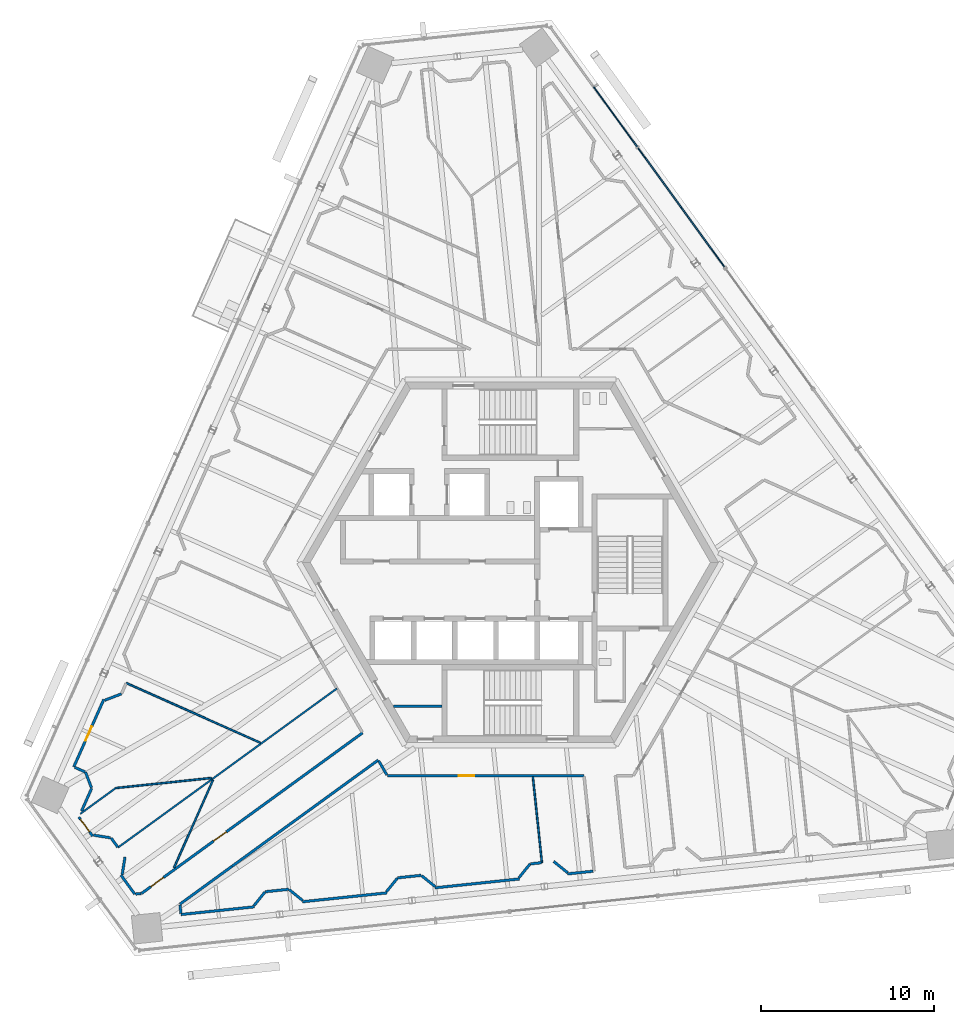
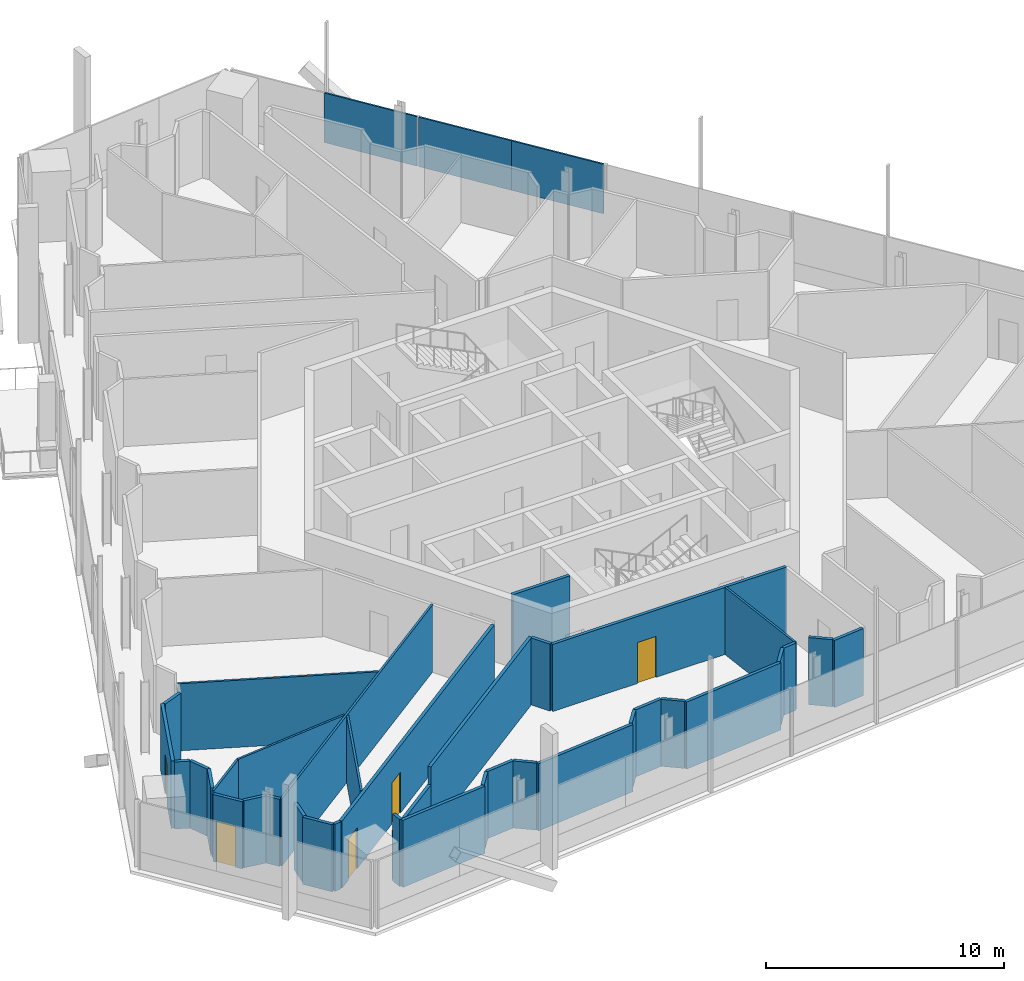
# One storey, part 10 of 21: 37 walls, 5 doors, 3 plates, 5 openings, 1 element without a shape of its own.
"""IFC4 building model written with IfcOpenShell, lengths in metres."""

from ifc_helpers import new_model, si_unit, direction, frame, frame_2d, origin, origin_2d, place, context, subcontext, project, spatial, rectangle, extrude, source, transform, mapped, material, layer, layer_set, type_object, element, fill, aggregate, save


model = new_model("IFC4")

# Units and contexts
model_context = context("Model", 3, precision=1e-05, world=origin(), true_north=direction((0.0, 1.0)))
body_context = subcontext(model_context, "Body", "Model", "MODEL_VIEW")
ifc_project = project(units=[si_unit("LENGTHUNIT", "METRE"), si_unit("AREAUNIT", "SQUARE_METRE"), si_unit("VOLUMEUNIT", "CUBIC_METRE"), si_unit("PLANEANGLEUNIT", "RADIAN"), si_unit("MASSUNIT", "GRAM", prefix="KILO")], contexts=[model_context])

# Site, building, storey
site_placement = place(None, origin())
site = spatial("IfcSite", under=ifc_project, at=site_placement, CompositionType="ELEMENT")
building_placement = place(site_placement, origin())
building = spatial("IfcBuilding", under=site, at=building_placement, Name="Triune Harvest Tower", CompositionType="ELEMENT")
storey_placement = place(building_placement, frame((0.0, 0.0, 248.5)))
storey = spatial("IfcBuildingStorey", under=building, at=storey_placement, Name="L65", CompositionType="ELEMENT", Elevation=248.5)

# Curtain wall, plates
ifc_material_1 = material(Name="Aluminium bronze anodised", Category="aluminium")
curtain_wall_type = type_object("IfcCurtainWallType", Name="CW-7 Tower stick curtain wall with insulated spandrel infill", PredefinedType="NOTDEFINED", material=ifc_material_1)
curtain_wall_placement = place(storey_placement, origin())
curtain_wall = element("IfcCurtainWall", 1, at=curtain_wall_placement, inside=storey, type_object=curtain_wall_type, Name="CW-7 B6-F1 L65 run 2001")
ifc_material_2 = material(Name="Insulated spandrel panel, bronze aluminium pan", Category="aluminium")
ifc_layer_1 = layer(ifc_material_2, 0.080078125)
ifc_layer_set_1 = layer_set([ifc_layer_1], Name="Insulated spandrel panel, bronze aluminium pan")
plate_type = type_object("IfcPlateType", Name="SP-1 insulated spandrel panel 80", PredefinedType="CURTAIN_PANEL", material=ifc_layer_set_1)
shared_shape_1 = source(origin(), body_context, "Body", "SweptSolid", [
    extrude(rectangle(XDim=4.22509765625, YDim=0.080078125, at=origin_2d()), origin(), (0.0, 0.0, 1.0), 2.5400390625),
])
plate_1_placement = place(storey_placement, frame((11.106201171875, 18.74560546875, 0.89990234375), z_axis=(0.0, 0.0, 1.0), x_axis=(-0.587786129808, 0.809016356822, 0.0)))
plate_1 = element("IfcPlate", 2, at=plate_1_placement, type_object=plate_type, Name="CW-7 panel B6-F1 2001.1", PredefinedType="CURTAIN_PANEL", context=body_context, shape_type="MappedRepresentation", body=[
    mapped(shared_shape_1, transform((0.0, 0.0, 0.0), scale=1.0)),
])
shared_shape_2 = source(origin(), body_context, "Body", "SweptSolid", [
    extrude(rectangle(XDim=4.262451171875, YDim=0.080078125, at=origin_2d()), origin(), (0.0, 0.0, 1.0), 2.5400390625),
])
plate_2_placement = place(storey_placement, frame((8.61181640625, 22.178955078125, 0.89990234375), z_axis=(0.0, 0.0, 1.0), x_axis=(-0.587786129808, 0.809016356822, 0.0)))
plate_2 = element("IfcPlate", 3, at=plate_2_placement, type_object=plate_type, Name="CW-7 panel B6-F1 2001.2", PredefinedType="CURTAIN_PANEL", context=body_context, shape_type="MappedRepresentation", body=[
    mapped(shared_shape_2, transform((0.0, 0.0, 0.0), scale=1.0)),
])
plate_3_placement = place(storey_placement, frame((6.062255859375, 25.68798828125, 0.89990234375), z_axis=(0.0, 0.0, 1.0), x_axis=(-0.587786129808, 0.809016356822, 0.0)))
plate_3 = element("IfcPlate", 4, at=plate_3_placement, type_object=plate_type, Name="CW-7 panel B6-F1 2001.3", PredefinedType="CURTAIN_PANEL", context=body_context, shape_type="MappedRepresentation", body=[
    mapped(shared_shape_2, transform((0.0, 0.0, 0.0), scale=1.0)),
])
aggregate(curtain_wall, [plate_1, plate_2, plate_3])

# Walls
ifc_material_3 = material(Name="Gypsum board on steel studs", Category="steel")
ifc_layer_2 = layer(ifc_material_3, 0.14990234375)
ifc_layer_set_2 = layer_set([ifc_layer_2], Name="Gypsum board on steel studs")
wall_type_1 = type_object("IfcWallType", Name="Fire Partition 150 mm", PredefinedType="PARTITIONING", material=ifc_layer_set_2)
wall_1_placement = place(storey_placement, frame((-22.451904296875, -18.029296875, 0.0), z_axis=(0.0, 0.0, 1.0), x_axis=(0.587861190829, -0.808961816353, 0.0)))
element("IfcWall", 5, at=wall_1_placement, inside=storey, type_object=wall_type_1, Name="Partition L65 026", PredefinedType="PARTITIONING", context=body_context, shape_type="SweptSolid", body=[
    extrude(rectangle(XDim=1.35595703125, YDim=0.14990234375, at=frame_2d((0.677978515625, 0.0))), origin(), (0.0, 0.0, 1.0), 3.43994140625),
])
wall_2_placement = place(storey_placement, frame((-23.024169921875, -15.88330078125, 0.0), z_axis=(0.0, 0.0, 1.0), x_axis=(0.587795827483, -0.809009310944, 0.0)))
element("IfcWall", 6, at=wall_2_placement, inside=storey, type_object=wall_type_1, Name="Partition L65 027", PredefinedType="PARTITIONING", context=body_context, shape_type="SweptSolid", body=[
    extrude(rectangle(XDim=0.65673828125, YDim=0.14990234375, at=frame_2d((0.328369140625, 0.0))), origin(), (0.0, 0.0, 1.0), 3.43994140625),
])
wall_3_placement = place(storey_placement, frame((-25.119873046875, -11.8125, 0.0), z_axis=(0.0, 0.0, 1.0), x_axis=(0.913594455673, -0.406626573854, 0.0)))
element("IfcWall", 7, at=wall_3_placement, inside=storey, type_object=wall_type_1, Name="Partition L65 048", PredefinedType="PARTITIONING", context=body_context, shape_type="SweptSolid", body=[
    extrude(rectangle(XDim=0.649658203125, YDim=0.14990234375, at=frame_2d((0.32470703125, 0.0))), origin(), (0.0, 0.0, 1.0), 3.43994140625),
])

# Wall, opening, door
wall_4_placement = place(storey_placement, frame((-7.096923828125, -12.292236328125, 0.0), z_axis=(0.0, 0.0, 1.0), x_axis=(1.0, 0.0, 0.0)))
wall_4 = element("IfcWall", 8, at=wall_4_placement, inside=storey, type_object=wall_type_1, Name="Partition L65 067", PredefinedType="PARTITIONING", context=body_context, shape_type="SweptSolid", body=[
    extrude(rectangle(XDim=11.3447265625, YDim=0.14990234375, at=frame_2d((5.67236328125, 0.0))), origin(), (0.0, 0.0, 1.0), 3.43994140625),
])
opening_1_placement = place(wall_4_placement, frame((4.1171875, 0.0, 0.0)))
opening_1 = element("IfcOpeningElement", 9, at=opening_1_placement, cuts=wall_4, Name="Opening L65-020", PredefinedType="OPENING", context=body_context, shape_type="SweptSolid", body=[
    extrude(rectangle(XDim=0.89990234375, YDim=2.10009765625, at=frame_2d((0.449951171875, 1.050048828125))), frame((0.0, 0.0849609375, 0.0), z_axis=(0.0, -1.0, 0.0), x_axis=(1.0, 0.0, 0.0)), (0.0, 0.0, 1.0), 0.169921875),
])
ifc_material_4 = material(Name="Timber and steel door set", Category="steel")
door_type_1 = type_object("IfcDoorType", Name="Single leaf door FD30 right hand 900 x 2100", OperationType="SINGLE_SWING_RIGHT", PredefinedType="DOOR", material=ifc_material_4)
door_1_placement = place(opening_1_placement, origin())
door_1 = element("IfcDoor", 10, at=door_1_placement, inside=storey, type_object=door_type_1, Name="Door L65-020 Open Office 65.20", OperationType="SINGLE_SWING_RIGHT", OverallHeight=2.10009765625, OverallWidth=0.89990234375, PredefinedType="DOOR", context=body_context, shape_type="SweptSolid", body=[
    extrude(rectangle(XDim=0.89990234375, YDim=2.10009765625, at=frame_2d((0.449951171875, 1.050048828125))), frame((0.0, 0.02490234375, 0.0), z_axis=(0.0, -1.0, 0.0), x_axis=(1.0, 0.0, 0.0)), (0.0, 0.0, 1.0), 0.050048828125),
])
fill(opening_1, door_1)

# Walls
wall_5_placement = place(storey_placement, frame((-18.990234375, -20.2998046875, 0.0), z_axis=(0.0, 0.0, 1.0), x_axis=(0.994522395776, 0.104523702097, 0.0)))
element("IfcWall", 11, at=wall_5_placement, inside=storey, type_object=wall_type_1, Name="Partition L65 071", PredefinedType="PARTITIONING", context=body_context, shape_type="SweptSolid", body=[
    extrude(rectangle(XDim=4.260498046875, YDim=0.14990234375, at=frame_2d((2.13037109375, 0.0))), origin(), (0.0, 0.0, 1.0), 3.43994140625),
])
wall_6_placement = place(storey_placement, frame((3.2841796875, -17.95849609375, 0.0), z_axis=(0.0, 0.0, 1.0), x_axis=(0.994528610192, 0.104464556241, 0.0)))
element("IfcWall", 12, at=wall_6_placement, inside=storey, type_object=wall_type_1, Name="Partition L65 074", PredefinedType="PARTITIONING", context=body_context, shape_type="SweptSolid", body=[
    extrude(rectangle(XDim=1.50048828125, YDim=0.14990234375, at=frame_2d((0.750244140625, 0.0))), origin(), (0.0, 0.0, 1.0), 3.43994140625),
])
wall_7_placement = place(storey_placement, frame((1.16943359375, -17.3779296875, 0.0), z_axis=(0.0, 0.0, 1.0), x_axis=(0.994539539625, 0.104360452866, 0.0)))
element("IfcWall", 13, at=wall_7_placement, inside=storey, type_object=wall_type_1, Name="Partition L65 080", PredefinedType="PARTITIONING", context=body_context, shape_type="SweptSolid", body=[
    extrude(rectangle(XDim=0.626953125, YDim=0.14990234375, at=frame_2d((0.3134765625, 0.0))), origin(), (0.0, 0.0, 1.0), 3.43994140625),
])
wall_8_placement = place(storey_placement, frame((-19.05322265625, -19.70166015625, 0.0), z_axis=(0.0, 0.0, 1.0), x_axis=(0.809028852889, 0.587768930102, 0.0)))
element("IfcWall", 14, at=wall_8_placement, inside=storey, type_object=wall_type_1, Name="Partition L65 100", PredefinedType="PARTITIONING", context=body_context, shape_type="SweptSolid", body=[
    extrude(rectangle(XDim=3.712890625, YDim=0.14990234375, at=frame_2d((1.8564453125, 0.0))), origin(), (0.0, 0.0, 1.0), 2.525634765625),
])
wall_9_placement = place(storey_placement, frame((-16.04931640625, -17.519287109375, 0.0), z_axis=(0.0, 0.0, 1.0), x_axis=(0.809011486292, 0.587792833444, 0.0)))
element("IfcWall", 15, at=wall_9_placement, inside=storey, type_object=wall_type_1, Name="Partition L65 100a", PredefinedType="PARTITIONING", context=body_context, shape_type="SweptSolid", body=[
    extrude(rectangle(XDim=10.423583984375, YDim=0.14990234375, at=frame_2d((5.2119140625, 0.0))), origin(), (0.0, 0.0, 1.0), 3.43994140625),
])

# Wall, openings, doors
wall_10_placement = place(storey_placement, frame((-21.267822265625, -19.08544921875, 0.0), z_axis=(0.0, 0.0, 1.0), x_axis=(0.809017427981, 0.587784655484, 0.0)))
wall_10 = element("IfcWall", 16, at=wall_10_placement, inside=storey, type_object=wall_type_1, Name="Partition L65 102", PredefinedType="PARTITIONING", context=body_context, shape_type="SweptSolid", body=[
    extrude(rectangle(XDim=15.75537109375, YDim=0.14990234375, at=frame_2d((7.877685546875, 0.0))), origin(), (0.0, 0.0, 1.0), 3.43994140625),
])
opening_2_placement = place(wall_10_placement, frame((0.6669921875, 0.0, 0.0)))
opening_2 = element("IfcOpeningElement", 17, at=opening_2_placement, cuts=wall_10, Name="Opening L65-018", PredefinedType="OPENING", context=body_context, shape_type="SweptSolid", body=[
    extrude(rectangle(XDim=0.89990234375, YDim=2.10009765625, at=frame_2d((0.449951171875, 1.050048828125))), frame((0.0, 0.0849609375, 0.0), z_axis=(0.0, -1.0, 0.0), x_axis=(1.0, 0.0, 0.0)), (0.0, 0.0, 1.0), 0.169921875),
])
opening_3_placement = place(wall_10_placement, frame((5.14208984375, 0.0, 0.0)))
opening_3 = element("IfcOpeningElement", 18, at=opening_3_placement, cuts=wall_10, Name="Opening L65-019", PredefinedType="OPENING", context=body_context, shape_type="SweptSolid", body=[
    extrude(rectangle(XDim=0.89990234375, YDim=2.10009765625, at=frame_2d((0.449951171875, 1.050048828125))), frame((0.0, 0.0849609375, 0.0), z_axis=(0.0, -1.0, 0.0), x_axis=(1.0, 0.0, 0.0)), (0.0, 0.0, 1.0), 0.169921875),
])
ifc_material_5 = material(Name="Timber and steel door set", Category="steel")
door_type_2 = type_object("IfcDoorType", Name="Single leaf door FD30 left hand 900 x 2100", OperationType="SINGLE_SWING_LEFT", PredefinedType="DOOR", material=ifc_material_5)
door_2_placement = place(opening_2_placement, origin())
door_2 = element("IfcDoor", 19, at=door_2_placement, inside=storey, type_object=door_type_2, Name="Door L65-018 Reception 65.18", OperationType="SINGLE_SWING_LEFT", OverallHeight=2.10009765625, OverallWidth=0.89990234375, PredefinedType="DOOR", context=body_context, shape_type="SweptSolid", body=[
    extrude(rectangle(XDim=0.89990234375, YDim=2.10009765625, at=frame_2d((0.449951171875, 1.050048828125))), frame((0.0, 0.02490234375, 0.0), z_axis=(0.0, -1.0, 0.0), x_axis=(1.0, 0.0, 0.0)), (0.0, 0.0, 1.0), 0.050048828125),
])
fill(opening_2, door_2)
door_3_placement = place(opening_3_placement, origin())
door_3 = element("IfcDoor", 20, at=door_3_placement, inside=storey, type_object=door_type_2, Name="Door L65-019 Dry Store Room 65.19", OperationType="SINGLE_SWING_LEFT", OverallHeight=2.10009765625, OverallWidth=0.89990234375, PredefinedType="DOOR", context=body_context, shape_type="SweptSolid", body=[
    extrude(rectangle(XDim=0.89990234375, YDim=2.10009765625, at=frame_2d((0.449951171875, 1.050048828125))), frame((0.0, 0.02490234375, 0.0), z_axis=(0.0, -1.0, 0.0), x_axis=(1.0, 0.0, 0.0)), (0.0, 0.0, 1.0), 0.050048828125),
])
fill(opening_3, door_3)

# Walls
wall_11_placement = place(storey_placement, frame((-24.722900390625, -14.326416015625, 0.0), z_axis=(0.0, 0.0, 1.0), x_axis=(0.406867357237, 0.913487248742, 0.0)))
element("IfcWall", 21, at=wall_11_placement, inside=storey, type_object=wall_type_1, Name="Partition L65 124", PredefinedType="PARTITIONING", context=body_context, shape_type="SweptSolid", body=[
    extrude(rectangle(XDim=1.42919921875, YDim=0.14990234375, at=frame_2d((0.714599609375, 0.0))), origin(), (0.0, 0.0, 1.0), 3.43994140625),
])
ifc_material_6 = material(Name="Gypsum board on steel studs", Category="steel")
ifc_layer_3 = layer(ifc_material_6, 0.10009765625)
ifc_layer_set_3 = layer_set([ifc_layer_3], Name="Gypsum board on steel studs")
wall_type_2 = type_object("IfcWallType", Name="Partition 100 mm", PredefinedType="PARTITIONING", material=ifc_layer_set_3)
wall_12_placement = place(storey_placement, frame((-22.1474609375, -6.95166015625, 0.0), z_axis=(0.0, 0.0, 1.0), x_axis=(0.913545346188, -0.406736893407, 0.0)))
element("IfcWall", 22, at=wall_12_placement, inside=storey, type_object=wall_type_2, Name="Partition L65 049", PredefinedType="PARTITIONING", context=body_context, shape_type="SweptSolid", body=[
    extrude(rectangle(XDim=8.477783203125, YDim=0.10009765625, at=frame_2d((4.23876953125, 0.0))), origin(), (0.0, 0.0, 1.0), 3.43994140625),
])
wall_13_placement = place(storey_placement, frame((-22.753662109375, -13.00732421875, 0.0), z_axis=(0.0, 0.0, 1.0), x_axis=(0.994522546692, 0.104522266149, 0.0)))
element("IfcWall", 23, at=wall_13_placement, inside=storey, type_object=wall_type_2, Name="Partition L65 085", PredefinedType="PARTITIONING", context=body_context, shape_type="SweptSolid", body=[
    extrude(rectangle(XDim=5.55224609375, YDim=0.10009765625, at=frame_2d((2.776123046875, 0.0))), origin(), (0.0, 0.0, 1.0), 3.43994140625),
])
wall_14_placement = place(storey_placement, frame((-22.622314453125, -16.436279296875, 0.0), z_axis=(0.0, 0.0, 1.0), x_axis=(0.809005299906, 0.587801348012, 0.0)))
element("IfcWall", 24, at=wall_14_placement, inside=storey, type_object=wall_type_2, Name="Partition L65 104", PredefinedType="PARTITIONING", context=body_context, shape_type="SweptSolid", body=[
    extrude(rectangle(XDim=15.602783203125, YDim=0.10009765625, at=frame_2d((7.80126953125, 0.0))), origin(), (0.0, 0.0, 1.0), 3.43994140625),
])
wall_15_placement = place(storey_placement, frame((-19.392822265625, -17.599853515625, 0.0), z_axis=(0.0, 0.0, 1.0), x_axis=(0.406728288656, 0.913549177224, 0.0)))
element("IfcWall", 25, at=wall_15_placement, inside=storey, type_object=wall_type_2, Name="Partition L65 123", PredefinedType="PARTITIONING", context=body_context, shape_type="SweptSolid", body=[
    extrude(rectangle(XDim=5.529541015625, YDim=0.10009765625, at=frame_2d((2.7646484375, 0.0))), origin(), (0.0, 0.0, 1.0), 3.43994140625),
])
ifc_material_7 = material(Name="Concrete masonry unit", Category="masonry")
ifc_layer_4 = layer(ifc_material_7, 0.14990234375)
ifc_layer_set_4 = layer_set([ifc_layer_4], Name="Concrete masonry unit")
wall_type_3 = type_object("IfcWallType", Name="Block partition 150", PredefinedType="PARTITIONING", material=ifc_layer_set_4)
shared_shape_3 = source(origin(), body_context, "Body", "SweptSolid", [
    extrude(rectangle(XDim=2.777099609375, YDim=0.14990234375, at=frame_2d((1.388671875, 0.0))), origin(), (0.0, 0.0, 1.0), 3.43994140625),
])
wall_16_placement = place(storey_placement, frame((-6.72705078125, -8.300048828125, 0.0), z_axis=(0.0, 0.0, 1.0), x_axis=(1.0, 0.0, 0.0)))
element("IfcWall", 26, at=wall_16_placement, inside=storey, type_object=wall_type_3, Name="Sw part wall", PredefinedType="PARTITIONING", context=body_context, shape_type="MappedRepresentation", body=[
    mapped(shared_shape_3, transform((0.0, 0.0, 0.0), scale=1.0)),
])
shared_shape_4 = source(origin(), body_context, "Body", "SweptSolid", [
    extrude(rectangle(XDim=0.96826171875, YDim=0.14990234375, at=frame_2d((0.484130859375, 0.0))), origin(), (0.0, 0.0, 1.0), 3.43994140625),
])
wall_17_placement = place(storey_placement, frame((-24.498779296875, -12.0888671875, 0.0), z_axis=(0.0, 0.0, 1.0), x_axis=(0.358269387117, -0.933618255099, 0.0)))
element("IfcWall", 27, at=wall_17_placement, inside=storey, type_object=wall_type_1, Name="Partition L65 014", PredefinedType="PARTITIONING", context=body_context, shape_type="MappedRepresentation", body=[
    mapped(shared_shape_4, transform((0.0, 0.0, 0.0), scale=1.0)),
])
shared_shape_5 = source(origin(), body_context, "Body", "SweptSolid", [
    extrude(rectangle(XDim=0.92919921875, YDim=0.14990234375, at=frame_2d((0.464599609375, 0.0))), origin(), (0.0, 0.0, 1.0), 3.43994140625),
])
wall_18_placement = place(storey_placement, frame((-7.586181640625, -11.444580078125, 0.0), z_axis=(0.0, 0.0, 1.0), x_axis=(0.500010545262, -0.866019315389, 0.0)))
element("IfcWall", 28, at=wall_18_placement, inside=storey, type_object=wall_type_1, Name="Partition L65 022", PredefinedType="PARTITIONING", context=body_context, shape_type="MappedRepresentation", body=[
    mapped(shared_shape_5, transform((0.0, 0.0, 0.0), scale=1.0)),
])
shared_shape_6 = source(origin(), body_context, "Body", "SweptSolid", [
    extrude(rectangle(XDim=1.36669921875, YDim=0.14990234375, at=frame_2d((0.683349609375, 0.0))), origin(), (0.0, 0.0, 1.0), 3.43994140625),
])
wall_19_placement = place(storey_placement, frame((-14.135009765625, -18.986083984375, 0.0), z_axis=(0.0, 0.0, 1.0), x_axis=(0.99452403602, 0.104508094319, 0.0)))
element("IfcWall", 29, at=wall_19_placement, inside=storey, type_object=wall_type_1, Name="Partition L65 078", PredefinedType="PARTITIONING", context=body_context, shape_type="MappedRepresentation", body=[
    mapped(shared_shape_6, transform((0.0, 0.0, 0.0), scale=1.0)),
])
shared_shape_7 = source(origin(), body_context, "Body", "SweptSolid", [
    extrude(rectangle(XDim=0.50146484375, YDim=0.14990234375, at=frame_2d((0.250732421875, 0.0))), origin(), (0.0, 0.0, 1.0), 3.43994140625),
])
wall_20_placement = place(storey_placement, frame((-19.048095703125, -19.751220703125, 0.0), z_axis=(0.0, 0.0, 1.0), x_axis=(0.104659444829, -0.994508119931, 0.0)))
element("IfcWall", 30, at=wall_20_placement, inside=storey, type_object=wall_type_1, Name="Partition L65 001", PredefinedType="PARTITIONING", context=body_context, shape_type="MappedRepresentation", body=[
    mapped(shared_shape_7, transform((0.0, 0.0, 0.0), scale=1.0)),
])
shared_shape_8 = source(origin(), body_context, "Body", "SweptSolid", [
    extrude(rectangle(XDim=4.985107421875, YDim=0.10009765625, at=frame_2d((2.49267578125, 0.0))), origin(), (0.0, 0.0, 1.0), 3.43994140625),
])
wall_21_placement = place(storey_placement, frame((1.298583984375, -12.35205078125, 0.0), z_axis=(0.0, 0.0, 1.0), x_axis=(0.104511426874, -0.994523685818, 0.0)))
element("IfcWall", 31, at=wall_21_placement, inside=storey, type_object=wall_type_2, Name="Partition L65 004", PredefinedType="PARTITIONING", context=body_context, shape_type="MappedRepresentation", body=[
    mapped(shared_shape_8, transform((0.0, 0.0, 0.0), scale=1.0)),
])
shared_shape_9 = source(origin(), body_context, "Body", "SweptSolid", [
    extrude(rectangle(XDim=0.998779296875, YDim=0.14990234375, at=frame_2d((0.49951171875, 0.0))), origin(), (0.0, 0.0, 1.0), 3.43994140625),
])
wall_22_placement = place(storey_placement, frame((-24.040283203125, -15.722412109375, 0.0), z_axis=(0.0, 0.0, 1.0), x_axis=(0.987689531031, -0.15642694874, 0.0)))
element("IfcWall", 32, at=wall_22_placement, inside=storey, type_object=wall_type_1, Name="Partition L65 062", PredefinedType="PARTITIONING", context=body_context, shape_type="MappedRepresentation", body=[
    mapped(shared_shape_9, transform((0.0, 0.0, 0.0), scale=1.0)),
])
shared_shape_10 = source(origin(), body_context, "Body", "SweptSolid", [
    extrude(rectangle(XDim=0.9990234375, YDim=0.14990234375, at=frame_2d((0.49951171875, 0.0))), origin(), (0.0, 0.0, 1.0), 3.43994140625),
])
for number, where, z_axis, x_axis, name in (
    (33, (-12.75244140625, -18.86279296875, 0.0), (0.0, 0.0, 1.0), (0.777159494521, -0.62930367874, 0.0), "Partition L65 042"),
    (34, (-7.145263671875, -18.983642578125, 0.0), (0.0, 0.0, 1.0), (0.62930367874, 0.777159494521, 0.0), "Partition L65 115"),
):
    element("IfcWall", number, at=place(storey_placement, frame(where, z_axis=z_axis, x_axis=x_axis)), inside=storey, type_object=wall_type_1, Name=name, PredefinedType="PARTITIONING", context=body_context, shape_type="MappedRepresentation", body=[
        mapped(shared_shape_10, transform((0.0, 0.0, 0.0), scale=1.0)),
    ])

# Wall, opening, door
shared_shape_11 = source(origin(), body_context, "Body", "SweptSolid", [
    extrude(rectangle(XDim=1.355712890625, YDim=0.14990234375, at=frame_2d((0.677734375, 0.0))), origin(), (0.0, 0.0, 1.0), 3.43994140625),
])
wall_23_placement = place(storey_placement, frame((-24.8818359375, -14.6845703125, 0.0), z_axis=(0.0, 0.0, 1.0), x_axis=(0.587743344352, -0.809047440617, 0.0)))
wall_23 = element("IfcWall", 35, at=wall_23_placement, inside=storey, type_object=wall_type_1, Name="Partition L65 025", PredefinedType="PARTITIONING", context=body_context, shape_type="MappedRepresentation", body=[
    mapped(shared_shape_11, transform((0.0, 0.0, 0.0), scale=1.0)),
])
opening_4_placement = place(wall_23_placement, frame((0.156005859375, 0.0, 0.0)))
opening_4 = element("IfcOpeningElement", 36, at=opening_4_placement, cuts=wall_23, Name="Opening L65-017", PredefinedType="OPENING", context=body_context, shape_type="SweptSolid", body=[
    extrude(rectangle(XDim=0.89990234375, YDim=2.10009765625, at=frame_2d((0.449951171875, 1.050048828125))), frame((0.0, 0.0849609375, 0.0), z_axis=(0.0, -1.0, 0.0), x_axis=(1.0, 0.0, 0.0)), (0.0, 0.0, 1.0), 0.169921875),
])
door_4_placement = place(opening_4_placement, origin())
door_4 = element("IfcDoor", 37, at=door_4_placement, inside=storey, type_object=door_type_2, Name="Door L65-017 Office 65.17", OperationType="SINGLE_SWING_LEFT", OverallHeight=2.10009765625, OverallWidth=0.89990234375, PredefinedType="DOOR", context=body_context, shape_type="SweptSolid", body=[
    extrude(rectangle(XDim=0.89990234375, YDim=2.10009765625, at=frame_2d((0.449951171875, 1.050048828125))), frame((0.0, 0.02490234375, 0.0), z_axis=(0.0, -1.0, 0.0), x_axis=(1.0, 0.0, 0.0)), (0.0, 0.0, 1.0), 0.050048828125),
])
fill(opening_4, door_4)

# Walls
shared_shape_12 = source(origin(), body_context, "Body", "SweptSolid", [
    extrude(rectangle(XDim=0.319091796875, YDim=0.14990234375, at=frame_2d((0.15966796875, 0.0))), origin(), (0.0, 0.0, 1.0), 3.43994140625),
])
wall_24_placement = place(storey_placement, frame((-21.60546875, -19.120849609375, 0.0), z_axis=(0.0, 0.0, 1.0), x_axis=(0.994492870494, 0.10480424866, 0.0)))
element("IfcWall", 38, at=wall_24_placement, inside=storey, type_object=wall_type_1, Name="Partition L65 083", PredefinedType="PARTITIONING", context=body_context, shape_type="MappedRepresentation", body=[
    mapped(shared_shape_12, transform((0.0, 0.0, 0.0), scale=1.0)),
])
shared_shape_13 = source(origin(), body_context, "Body", "SweptSolid", [
    extrude(rectangle(XDim=1.366455078125, YDim=0.14990234375, at=frame_2d((0.68310546875, 0.0))), origin(), (0.0, 0.0, 1.0), 3.43994140625),
])
wall_25_placement = place(storey_placement, frame((-6.49755859375, -18.18359375, 0.0), z_axis=(0.0, 0.0, 1.0), x_axis=(0.994522084335, 0.10452666535, 0.0)))
element("IfcWall", 39, at=wall_25_placement, inside=storey, type_object=wall_type_1, Name="Partition L65 079", PredefinedType="PARTITIONING", context=body_context, shape_type="MappedRepresentation", body=[
    mapped(shared_shape_13, transform((0.0, 0.0, 0.0), scale=1.0)),
])

# Wall, opening, door
shared_shape_14 = source(origin(), body_context, "Body", "SweptSolid", [
    extrude(rectangle(XDim=4.26025390625, YDim=0.14990234375, at=frame_2d((2.130126953125, 0.0))), origin(), (0.0, 0.0, 1.0), 3.43994140625),
])
wall_26_placement = place(storey_placement, frame((-25.174560546875, -11.7880859375, 0.0), z_axis=(0.0, 0.0, 1.0), x_axis=(0.406765794446, 0.913532478059, 0.0)))
wall_26 = element("IfcWall", 40, at=wall_26_placement, inside=storey, type_object=wall_type_1, Name="Partition L65 131", PredefinedType="PARTITIONING", context=body_context, shape_type="MappedRepresentation", body=[
    mapped(shared_shape_14, transform((0.0, 0.0, 0.0), scale=1.0)),
])
opening_5_placement = place(wall_26_placement, frame((1.650146484375, 0.0, 0.0)))
opening_5 = element("IfcOpeningElement", 41, at=opening_5_placement, cuts=wall_26, Name="Opening L65-016", PredefinedType="OPENING", context=body_context, shape_type="SweptSolid", body=[
    extrude(rectangle(XDim=0.89990234375, YDim=2.10009765625, at=frame_2d((0.449951171875, 1.050048828125))), frame((0.0, 0.0849609375, 0.0), z_axis=(0.0, -1.0, 0.0), x_axis=(1.0, 0.0, 0.0)), (0.0, 0.0, 1.0), 0.169921875),
])
door_5_placement = place(opening_5_placement, origin())
door_5 = element("IfcDoor", 42, at=door_5_placement, inside=storey, type_object=door_type_1, Name="Door L65-016 Open Office 65.16", OperationType="SINGLE_SWING_RIGHT", OverallHeight=2.10009765625, OverallWidth=0.89990234375, PredefinedType="DOOR", context=body_context, shape_type="SweptSolid", body=[
    extrude(rectangle(XDim=0.89990234375, YDim=2.10009765625, at=frame_2d((0.449951171875, 1.050048828125))), frame((0.0, 0.02490234375, 0.0), z_axis=(0.0, -1.0, 0.0), x_axis=(1.0, 0.0, 0.0)), (0.0, 0.0, 1.0), 0.050048828125),
])
fill(opening_5, door_5)

# Walls
shared_shape_15 = source(origin(), body_context, "Body", "SweptSolid", [
    extrude(rectangle(XDim=4.901123046875, YDim=0.14990234375, at=frame_2d((2.45068359375, 0.0))), origin(), (0.0, 0.0, 1.0), 3.43994140625),
])
for number, where, z_axis, x_axis, name in (
    (43, (-11.990234375, -19.564208984375, 0.0), (0.0, 0.0, 1.0), (0.994518819285, 0.104557726105, 0.0), "Partition L65 072"),
    (44, (-4.352783203125, -18.76123046875, 0.0), (0.0, 0.0, 1.0), (0.99452399789, 0.104508457179, 0.0), "Partition L65 073"),
):
    element("IfcWall", number, at=place(storey_placement, frame(where, z_axis=z_axis, x_axis=x_axis)), inside=storey, type_object=wall_type_1, Name=name, PredefinedType="PARTITIONING", context=body_context, shape_type="MappedRepresentation", body=[
        mapped(shared_shape_15, transform((0.0, 0.0, 0.0), scale=1.0)),
    ])
shared_shape_16 = source(origin(), body_context, "Body", "SweptSolid", [
    extrude(rectangle(XDim=0.999267578125, YDim=0.14990234375, at=frame_2d((0.49951171875, 0.0))), origin(), (0.0, 0.0, 1.0), 3.43994140625),
])
for number, where, z_axis, x_axis, name in (
    (45, (-5.115234375, -18.06005859375, 0.0), (0.0, 0.0, 1.0), (0.777256250956, -0.629184170454, 0.0), "Partition L65 043"),
    (46, (-14.782470703125, -19.78662109375, 0.0), (0.0, 0.0, 1.0), (0.629184170454, 0.777256250956, 0.0), "Partition L65 116"),
):
    element("IfcWall", number, at=place(storey_placement, frame(where, z_axis=z_axis, x_axis=x_axis)), inside=storey, type_object=wall_type_1, Name=name, PredefinedType="PARTITIONING", context=body_context, shape_type="MappedRepresentation", body=[
        mapped(shared_shape_16, transform((0.0, 0.0, 0.0), scale=1.0)),
    ])
shared_shape_17 = source(origin(), body_context, "Body", "SweptSolid", [
    extrude(rectangle(XDim=1.029296875, YDim=0.14990234375, at=frame_2d((0.5146484375, 0.0))), origin(), (0.0, 0.0, 1.0), 3.43994140625),
])
for number, where, z_axis, x_axis, name in (
    (47, (2.498779296875, -17.23828125, 0.0), (0.0, 0.0, 1.0), (0.777128847746, -0.629341524136, 0.0), "Partition L65 044"),
    (48, (0.4921875, -18.180908203125, 0.0), (0.0, 0.0, 1.0), (0.629341524136, 0.777128847746, 0.0), "Partition L65 114"),
):
    element("IfcWall", number, at=place(storey_placement, frame(where, z_axis=z_axis, x_axis=x_axis)), inside=storey, type_object=wall_type_1, Name=name, PredefinedType="PARTITIONING", context=body_context, shape_type="MappedRepresentation", body=[
        mapped(shared_shape_17, transform((0.0, 0.0, 0.0), scale=1.0)),
    ])
shared_shape_18 = source(origin(), body_context, "Body", "SweptSolid", [
    extrude(rectangle(XDim=1.029052734375, YDim=0.14990234375, at=frame_2d((0.5146484375, 0.0))), origin(), (0.0, 0.0, 1.0), 3.43994140625),
])
for number, where, z_axis, x_axis, name in (
    (49, (-23.385986328125, -7.944580078125, 0.0), (0.0, 0.0, 1.0), (0.93362050538, 0.35826352303, 0.0), "Partition L65 091"),
    (50, (-22.3818359375, -18.00537109375, 0.0), (0.0, 0.0, 1.0), (0.15635243246, 0.987701329787, 0.0), "Partition L65 143"),
):
    element("IfcWall", number, at=place(storey_placement, frame(where, z_axis=z_axis, x_axis=x_axis)), inside=storey, type_object=wall_type_1, Name=name, PredefinedType="PARTITIONING", context=body_context, shape_type="MappedRepresentation", body=[
        mapped(shared_shape_18, transform((0.0, 0.0, 0.0), scale=1.0)),
    ])
shared_shape_19 = source(origin(), body_context, "Body", "SweptSolid", [
    extrude(rectangle(XDim=2.51416015625, YDim=0.10009765625, at=frame_2d((1.257080078125, 0.0))), origin(), (0.0, 0.0, 1.0), 3.43994140625),
])
wall_27_placement = place(storey_placement, frame((-24.795654296875, -14.490966796875, 0.0), z_axis=(0.0, 0.0, 1.0), x_axis=(0.809008950177, 0.587796324021, 0.0)))
element("IfcWall", 51, at=wall_27_placement, inside=storey, type_object=wall_type_2, Name="Partition L65 105", PredefinedType="PARTITIONING", context=body_context, shape_type="MappedRepresentation", body=[
    mapped(shared_shape_19, transform((0.0, 0.0, 0.0), scale=1.0)),
])

save(model, "model.ifc")
